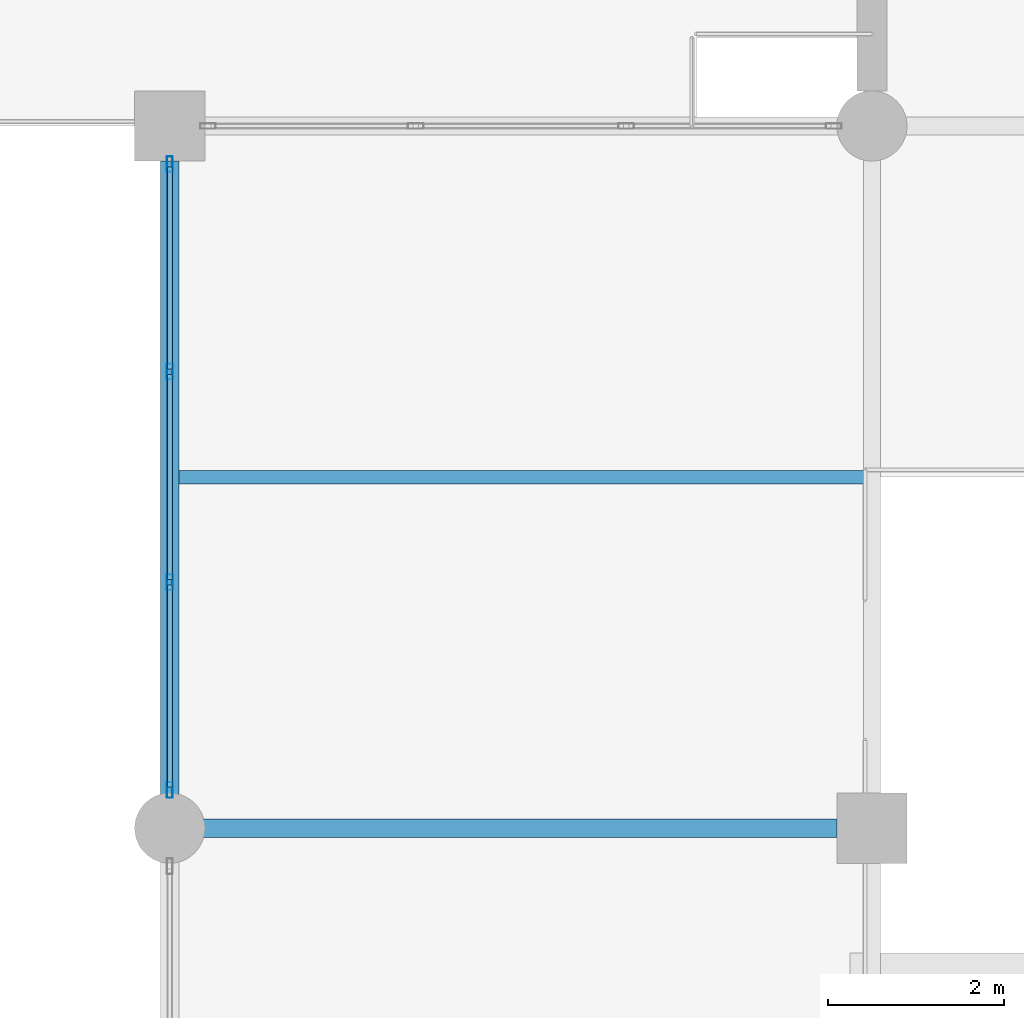
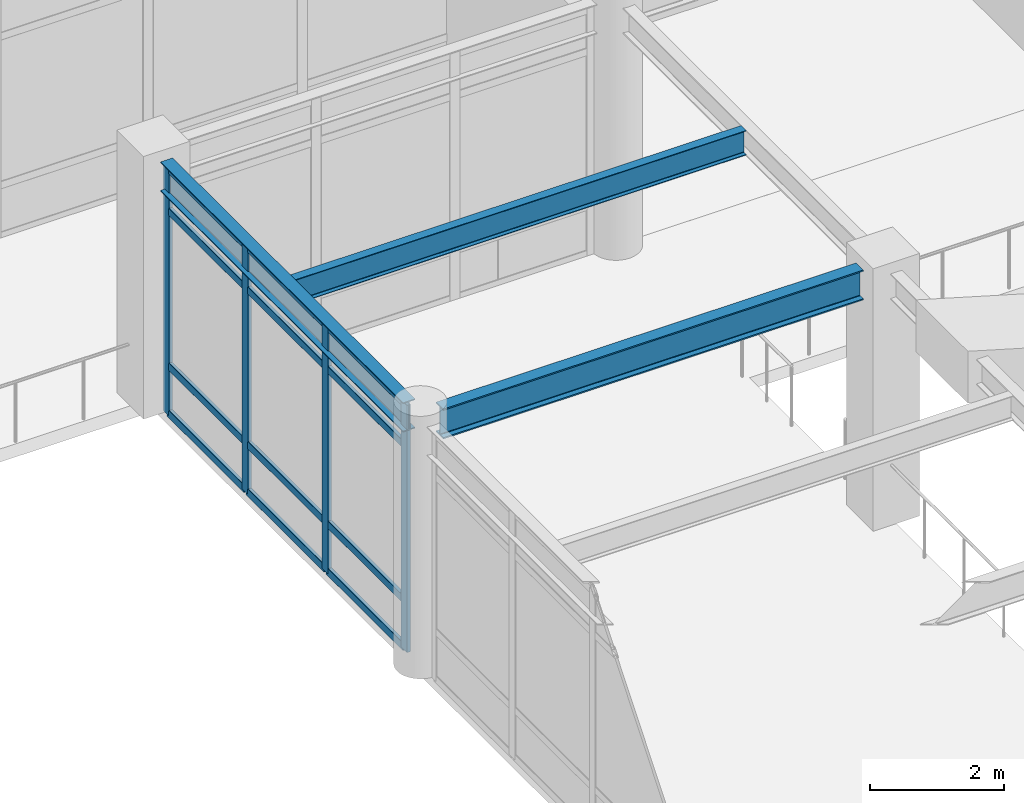
# One storey, part 50 of 117: 16 members, 3 beams, 1 element without a shape of its own.
"""IFC4 building model written with IfcOpenShell, lengths in metres."""

import ifcopenshell
import ifcopenshell.guid

model = None  # the IFC model being written
_history = None  # IfcOwnerHistory: only IFC2X3 demands one
_inside = {}  # id of a spatial element -> (the spatial element, [elements in it])
_under = {}  # id of a project, library or spatial element -> (it, [spatial elements below it])
_declared = {}  # id of a project -> (the project, [libraries it declares])
_typed = {}  # id of a type object -> (the type object, [elements of that type])
_made_of = {}  # id of a material, layer set ... -> (it, [elements and type objects made of it])


def new_model(schema):
    """Start an empty IFC model of exactly this schema.

    Asked for "IFC4X3", IfcOpenShell would pick the latest addendum, in which some entities
    have other attributes; the version numbers below select the first issue.
    IFC2X3 requires an IfcOwnerHistory on every rooted entity: one is made here for all.
    """
    global model, _history
    if schema == "IFC4X3":
        model = ifcopenshell.file(schema_version=(4, 3, 0, 0))
    else:
        model = ifcopenshell.file(schema=schema)
    _inside.clear()
    _under.clear()
    _declared.clear()
    _typed.clear()
    _made_of.clear()
    _history = None
    if model.schema == "IFC2X3":
        org = make("IfcOrganization", Name="unknown")
        user = make(
            "IfcPersonAndOrganization",
            ThePerson=make("IfcPerson", FamilyName="unknown"),
            TheOrganization=org,
        )
        app = make(
            "IfcApplication",
            ApplicationDeveloper=org,
            Version="unknown",
            ApplicationFullName="unknown",
            ApplicationIdentifier="unknown",
        )
        _history = make(
            "IfcOwnerHistory",
            OwningUser=user,
            OwningApplication=app,
            ChangeAction="ADDED",
            CreationDate=0,
        )
    return model


def make(cls, **values):
    """One entity of the class cls with the attributes given. An attribute that is None is left unset."""
    return model.create_entity(
        cls, **{name: value for name, value in values.items() if value is not None}
    )


def rooted(cls, **values):
    """An entity with a GlobalId (a new one), such as an element, a storey or a relation."""
    return make(cls, GlobalId=ifcopenshell.guid.new(), OwnerHistory=_history, **values)


def si_unit(unit_type, name, prefix=None):
    """IfcSIUnit, for example si_unit("LENGTHUNIT", "METRE", prefix="MILLI")."""
    return make("IfcSIUnit", UnitType=unit_type, Prefix=prefix, Name=name)


def assignment(units):
    """IfcUnitAssignment: the units of a project."""
    return None if units is None else make("IfcUnitAssignment", Units=units)


def point(xyz):
    """IfcCartesianPoint."""
    return None if xyz is None else make("IfcCartesianPoint", Coordinates=xyz)


def direction(xyz):
    """IfcDirection."""
    return None if xyz is None else make("IfcDirection", DirectionRatios=xyz)


def frame(location, z_axis=None, x_axis=None):
    """IfcAxis2Placement3D, a coordinate frame: its origin and axes. An axis left out is left unset."""
    return make(
        "IfcAxis2Placement3D",
        Location=point(location),
        Axis=direction(z_axis),
        RefDirection=direction(x_axis),
    )


def frame_2d(location, x_axis=None):
    """IfcAxis2Placement2D, a coordinate frame in the plane: its origin and x axis."""
    return make(
        "IfcAxis2Placement2D", Location=point(location), RefDirection=direction(x_axis)
    )


def origin():
    """The frame at (0, 0, 0) with its axes left unset."""
    return frame((0.0, 0.0, 0.0))


def origin_2d():
    """The frame at (0, 0) in the plane with its x axis left unset."""
    return frame_2d((0.0, 0.0))


def place(relative_to, where):
    """IfcLocalPlacement: puts the frame where relative to a parent placement (None: the world)."""
    return make(
        "IfcLocalPlacement", PlacementRelTo=relative_to, RelativePlacement=where
    )


def context(
    kind, dimensions, precision=None, world=None, true_north=None, identifier=None
):
    """IfcGeometricRepresentationContext, for example the 3D "Model" context."""
    return make(
        "IfcGeometricRepresentationContext",
        ContextIdentifier=identifier,
        ContextType=kind,
        CoordinateSpaceDimension=dimensions,
        Precision=precision,
        WorldCoordinateSystem=world,
        TrueNorth=true_north,
    )


def subcontext(parent, identifier, kind, view, scale=None):
    """IfcGeometricRepresentationSubContext, for example "Body" below "Model"."""
    return make(
        "IfcGeometricRepresentationSubContext",
        ContextIdentifier=identifier,
        ContextType=kind,
        ParentContext=parent,
        TargetScale=scale,
        TargetView=view,
    )


def project(units=None, contexts=None):
    """IfcProject with its units and contexts."""
    return rooted(
        "IfcProject",
        Name="project",
        RepresentationContexts=contexts,
        UnitsInContext=assignment(units),
    )


def spatial(cls, under=None, at=None, **own):
    """A site, building, storey or space (cls), placed at a placement, below another one or the project."""
    s = rooted(cls, ObjectPlacement=at, **own)
    if under is not None:
        _under.setdefault(under.id(), (under, []))[1].append(s)
    return s


def profile(cls, at=None, kind="AREA", **sizes):
    """A parametric profile (cls). Its sizes go by their IFC names, for example OverallWidth=200.0."""
    return make(cls, ProfileType=kind, Position=at, **sizes)


def hollow_rectangle(**sizes):
    """IfcRectangleHollowProfileDef."""
    return profile("IfcRectangleHollowProfileDef", **sizes)


def i_section(**sizes):
    """IfcIShapeProfileDef."""
    return profile("IfcIShapeProfileDef", **sizes)


def extrude(swept, where, along, depth):
    """IfcExtrudedAreaSolid: the profile swept, set in the frame where, extruded along a direction by depth."""
    return make(
        "IfcExtrudedAreaSolid",
        SweptArea=swept,
        Position=where,
        ExtrudedDirection=direction(along),
        Depth=depth,
    )


def shape(context_of_items, identifier, shape_type, items):
    """IfcShapeRepresentation: the items that make up one representation, for example the "Body"."""
    return make(
        "IfcShapeRepresentation",
        ContextOfItems=context_of_items,
        RepresentationIdentifier=identifier,
        RepresentationType=shape_type,
        Items=items,
    )


def material(Name=None, Category=None):
    """IfcMaterial."""
    return make("IfcMaterial", Name=Name, Category=Category)


def material_profile(
    of_material, cross_section, Name=None, Category=None, Priority=None
):
    """IfcMaterialProfile: a cross section and its material."""
    return make(
        "IfcMaterialProfile",
        Name=Name,
        Material=of_material,
        Profile=cross_section,
        Priority=Priority,
        Category=Category,
    )


def profile_set(profiles, Name=None, composite=None):
    """IfcMaterialProfileSet."""
    return make(
        "IfcMaterialProfileSet",
        Name=Name,
        MaterialProfiles=profiles,
        CompositeProfile=composite,
    )


def made_of(thing, what):
    """Note that an element or type object is made of a material, layer set ...; save() writes the relation."""
    if what is not None:
        _made_of.setdefault(what.id(), (what, []))[1].append(thing)
    return thing


def type_object(cls, material=None, **own):
    """A type object (cls), such as IfcWallType, which elements share."""
    return made_of(rooted(cls, **own), material)


def element(
    cls,
    number,
    at=None,
    inside=None,
    cuts=None,
    type_object=None,
    material=None,
    context=None,
    identifier="Body",
    shape_type=None,
    held_by="IfcProductDefinitionShape",
    body=None,
    shapes=None,
    **own,
):
    """One element of the class cls, such as IfcWall. Its Tag is "e" and its number.

    at: its placement. inside: the storey or other place that contains it. cuts: it is an
    opening in that element (IfcRelVoidsElement). A single representation is given by context,
    identifier, shape_type and body (its items); several are given by shapes. held_by: the class
    of the entity that holds the representations. save() writes the other relations.
    """
    e = rooted(cls, Tag="e%d" % number, ObjectPlacement=at, **own)
    if body is not None:
        shapes = [shape(context, identifier, shape_type, body)]
    if shapes is not None:
        e.Representation = make(held_by, Representations=shapes)
    if inside is not None:
        _inside.setdefault(inside.id(), (inside, []))[1].append(e)
    if cuts is not None:
        rooted(
            "IfcRelVoidsElement", RelatingBuildingElement=cuts, RelatedOpeningElement=e
        )
    if type_object is not None:
        _typed.setdefault(type_object.id(), (type_object, []))[1].append(e)
    return made_of(e, material)


def aggregate(whole, parts):
    """IfcRelAggregates: a whole, such as a stair, and the parts it consists of."""
    return rooted("IfcRelAggregates", RelatingObject=whole, RelatedObjects=parts)


def save(model, path):
    """Write the relations noted so far, then the file.

    IfcRelAggregates (storeys below a building ...), IfcRelContainedInSpatialStructure (elements
    in a storey), IfcRelDefinesByType, IfcRelAssociatesMaterial and IfcRelDeclares: one each for
    every whole, place, type object, material and project.
    """
    for whole, parts in _under.values():
        aggregate(whole, parts)
    for where, things in _inside.values():
        rooted(
            "IfcRelContainedInSpatialStructure",
            RelatedElements=things,
            RelatingStructure=where,
        )
    for kind, things in _typed.values():
        rooted("IfcRelDefinesByType", RelatedObjects=things, RelatingType=kind)
    for what, things in _made_of.values():
        rooted("IfcRelAssociatesMaterial", RelatedObjects=things, RelatingMaterial=what)
    for by, libraries in _declared.values():
        rooted("IfcRelDeclares", RelatingContext=by, RelatedDefinitions=libraries)
    model.write(path)


model = new_model("IFC4")

# Units and contexts
model_context = context("Model", 3, precision=1e-05, world=origin(), true_north=direction((0.0, 1.0)))
body_context = subcontext(model_context, "Body", "Model", "MODEL_VIEW")
ifc_project = project(units=[si_unit("LENGTHUNIT", "METRE"), si_unit("AREAUNIT", "SQUARE_METRE"), si_unit("VOLUMEUNIT", "CUBIC_METRE"), si_unit("PLANEANGLEUNIT", "RADIAN"), si_unit("MASSUNIT", "GRAM", prefix="KILO")], contexts=[model_context])

# Site, building, storey
site_placement = place(None, origin())
site = spatial("IfcSite", under=ifc_project, at=site_placement, CompositionType="ELEMENT")
building_placement = place(site_placement, origin())
building = spatial("IfcBuilding", under=site, at=building_placement, Name="Solmirada Galleria", CompositionType="ELEMENT")
storey_placement = place(building_placement, frame((0.0, 0.0, 5.60009765625)))
storey = spatial("IfcBuildingStorey", under=building, at=storey_placement, Name="L01", CompositionType="ELEMENT", Elevation=5.60009765625)

# Beams
ifc_material_1 = material(Name="Steel S355 / ASTM A992 Grade 50", Category="steel")
ifc_material_profile_1 = material_profile(ifc_material_1, i_section(OverallWidth=0.214111328125, OverallDepth=0.549072265625, WebThickness=0.0146484375, FlangeThickness=0.023681640625, FilletRadius=0.014892578125, at=origin_2d()), Name="W21X93")
ifc_profile_set_1 = profile_set([ifc_material_profile_1], Name="Steel S355 / ASTM A992 Grade 50")
beam_type_1 = type_object("IfcBeamType", Name="BM-GIRD-W21A", PredefinedType="BEAM", material=ifc_profile_set_1)
beam_1_placement = place(storey_placement, frame((80.3359375, 64.0, 4.325439453125), z_axis=(1.0, 0.0, 0.0), x_axis=(0.0, 1.0, 0.0)))
element("IfcBeam", 1, at=beam_1_placement, inside=storey, type_object=beam_type_1, Name="Primary beam L02 X(80..88, 64)", PredefinedType="BEAM", context=body_context, shape_type="SweptSolid", body=[
    extrude(i_section(OverallWidth=0.214111328125, OverallDepth=0.549072265625, WebThickness=0.0146484375, FlangeThickness=0.023681640625, FilletRadius=0.014892578125, at=origin_2d()), origin(), (0.0, 0.0, 1.0), 7.26416015625),
])
ifc_material_profile_2 = material_profile(ifc_material_1, i_section(OverallWidth=0.2099609375, OverallDepth=0.537109375, WebThickness=0.010986328125, FlangeThickness=0.017333984375, FilletRadius=0.014892578125, at=origin_2d()), Name="W21X68")
ifc_profile_set_2 = profile_set([ifc_material_profile_2], Name="Steel S355 / ASTM A992 Grade 50")
beam_type_2 = type_object("IfcBeamType", Name="BM-GIRD-W21B", PredefinedType="BEAM", material=ifc_profile_set_2)
beam_2_placement = place(storey_placement, frame((80.0, 64.3359375, 4.331298828125), z_axis=(0.0, 1.0, 0.0), x_axis=(-1.0, 0.0, 0.0)))
element("IfcBeam", 2, at=beam_2_placement, inside=storey, type_object=beam_type_2, Name="Primary girder L02 Y(80, 64..72)", PredefinedType="BEAM", context=body_context, shape_type="SweptSolid", body=[
    extrude(i_section(OverallWidth=0.2099609375, OverallDepth=0.537109375, WebThickness=0.010986328125, FlangeThickness=0.017333984375, FilletRadius=0.014892578125, at=origin_2d()), origin(), (0.0, 0.0, 1.0), 7.26416015625),
])
ifc_material_profile_3 = material_profile(ifc_material_1, i_section(OverallWidth=0.152099609375, OverallDepth=0.449951171875, WebThickness=0.007568359375, FlangeThickness=0.0107421875, FilletRadius=0.011962890625, at=origin_2d()), Name="W18X35")
ifc_profile_set_3 = profile_set([ifc_material_profile_3], Name="Steel S355 / ASTM A992 Grade 50")
beam_type_3 = type_object("IfcBeamType", Name="BM-JST-W18B", PredefinedType="JOIST", material=ifc_profile_set_3)
beam_3_placement = place(storey_placement, frame((80.10498046875, 68.0, 4.375), z_axis=(1.0, 0.0, 0.0), x_axis=(0.0, 1.0, 0.0)))
element("IfcBeam", 3, at=beam_3_placement, inside=storey, type_object=beam_type_3, Name="Composite floor joist L02 (80..88, 68.0)", PredefinedType="JOIST", context=body_context, shape_type="SweptSolid", body=[
    extrude(i_section(OverallWidth=0.152099609375, OverallDepth=0.449951171875, WebThickness=0.007568359375, FlangeThickness=0.0107421875, FilletRadius=0.011962890625, at=origin_2d()), origin(), (0.0, 0.0, 1.0), 7.798095703125),
])

# Curtain wall, members
ifc_material_2 = material(Name="Impact-resistant low-E double glazing", Category="glass")
curtain_wall_type = type_object("IfcCurtainWallType", Name="CW-FZ3-L01-B3-L072", PredefinedType="NOTDEFINED", material=ifc_material_2)
curtain_wall_placement = place(storey_placement, origin())
curtain_wall = element("IfcCurtainWall", 4, at=curtain_wall_placement, inside=storey, type_object=curtain_wall_type, Name="Terrace and arcade storefront CW-L01-046", PredefinedType="NOTDEFINED")
ifc_material_3 = material(Name="Anodised aluminium framing", Category="aluminium")
ifc_material_profile_4 = material_profile(ifc_material_3, hollow_rectangle(XDim=0.06494140625, YDim=0.179931640625, WallThickness=0.00390625, InnerFilletRadius=0.00390625, OuterFilletRadius=0.008056640625, at=origin_2d()), Name="ALU-MULL-180X65")
ifc_profile_set_4 = profile_set([ifc_material_profile_4], Name="Anodised aluminium framing")
member_type_1 = type_object("IfcMemberType", Name="CW-MULL-180", PredefinedType="MULLION", material=ifc_profile_set_4)
member_1_placement = place(storey_placement, frame((80.0, 64.4345703125, 0.0), z_axis=(0.0, 0.0, 1.0), x_axis=(-1.0, 0.0, 0.0)))
member_1 = element("IfcMember", 5, at=member_1_placement, type_object=member_type_1, Name="CW12 mullion 1", PredefinedType="MULLION", context=body_context, shape_type="SweptSolid", body=[
    extrude(hollow_rectangle(XDim=0.06494140625, YDim=0.179931640625, WallThickness=0.00390625, InnerFilletRadius=0.00390625, OuterFilletRadius=0.008056640625, at=origin_2d()), origin(), (0.0, 0.0, 1.0), 4.52001953125),
])
member_2_placement = place(storey_placement, frame((80.0, 66.80078125, 0.0), z_axis=(0.0, 0.0, 1.0), x_axis=(-1.0, 0.0, 0.0)))
member_2 = element("IfcMember", 6, at=member_2_placement, type_object=member_type_1, Name="CW12 mullion 2", PredefinedType="MULLION", context=body_context, shape_type="SweptSolid", body=[
    extrude(hollow_rectangle(XDim=0.06494140625, YDim=0.179931640625, WallThickness=0.00390625, InnerFilletRadius=0.00390625, OuterFilletRadius=0.008056640625, at=origin_2d()), origin(), (0.0, 0.0, 1.0), 4.52001953125),
])
member_3_placement = place(storey_placement, frame((80.0, 69.19921875, 0.0), z_axis=(0.0, 0.0, 1.0), x_axis=(-1.0, 0.0, 0.0)))
member_3 = element("IfcMember", 7, at=member_3_placement, type_object=member_type_1, Name="CW12 mullion 3", PredefinedType="MULLION", context=body_context, shape_type="SweptSolid", body=[
    extrude(hollow_rectangle(XDim=0.06494140625, YDim=0.179931640625, WallThickness=0.00390625, InnerFilletRadius=0.00390625, OuterFilletRadius=0.008056640625, at=origin_2d()), origin(), (0.0, 0.0, 1.0), 4.52001953125),
])
member_4_placement = place(storey_placement, frame((80.0, 71.5654296875, 0.0), z_axis=(0.0, 0.0, 1.0), x_axis=(-1.0, 0.0, 0.0)))
member_4 = element("IfcMember", 8, at=member_4_placement, type_object=member_type_1, Name="CW12 mullion 4", PredefinedType="MULLION", context=body_context, shape_type="SweptSolid", body=[
    extrude(hollow_rectangle(XDim=0.06494140625, YDim=0.179931640625, WallThickness=0.00390625, InnerFilletRadius=0.00390625, OuterFilletRadius=0.008056640625, at=origin_2d()), origin(), (0.0, 0.0, 1.0), 4.52001953125),
])
ifc_material_profile_5 = material_profile(ifc_material_3, hollow_rectangle(XDim=0.06494140625, YDim=0.139892578125, WallThickness=0.00341796875, InnerFilletRadius=0.00341796875, OuterFilletRadius=0.007080078125, at=origin_2d()), Name="ALU-TRAN-140X65")
ifc_profile_set_5 = profile_set([ifc_material_profile_5], Name="Anodised aluminium framing")
member_type_2 = type_object("IfcMemberType", Name="CW-TRAN-140", PredefinedType="USERDEFINED", material=ifc_profile_set_5)
member_5_placement = place(storey_placement, frame((80.0, 64.467041015625, 0.032470703125), z_axis=(0.0, 1.0, 0.0), x_axis=(-1.0, 0.0, 0.0)))
member_5 = element("IfcMember", 9, at=member_5_placement, type_object=member_type_2, Name="CW12 transom 1.1", ObjectType="TRANSOM", PredefinedType="USERDEFINED", context=body_context, shape_type="SweptSolid", body=[
    extrude(hollow_rectangle(XDim=0.06494140625, YDim=0.139892578125, WallThickness=0.00341796875, InnerFilletRadius=0.00341796875, OuterFilletRadius=0.007080078125, at=origin_2d()), origin(), (0.0, 0.0, 1.0), 2.301025390625),
])
member_6_placement = place(storey_placement, frame((80.0, 64.467041015625, 0.89990234375), z_axis=(0.0, 1.0, 0.0), x_axis=(-1.0, 0.0, 0.0)))
member_6 = element("IfcMember", 10, at=member_6_placement, type_object=member_type_2, Name="CW12 transom 1.2", ObjectType="TRANSOM", PredefinedType="USERDEFINED", context=body_context, shape_type="SweptSolid", body=[
    extrude(hollow_rectangle(XDim=0.06494140625, YDim=0.139892578125, WallThickness=0.00341796875, InnerFilletRadius=0.00341796875, OuterFilletRadius=0.007080078125, at=origin_2d()), origin(), (0.0, 0.0, 1.0), 2.301025390625),
])
member_7_placement = place(storey_placement, frame((80.0, 64.467041015625, 3.72998046875), z_axis=(0.0, 1.0, 0.0), x_axis=(-1.0, 0.0, 0.0)))
member_7 = element("IfcMember", 11, at=member_7_placement, type_object=member_type_2, Name="CW12 transom 1.3", ObjectType="TRANSOM", PredefinedType="USERDEFINED", context=body_context, shape_type="SweptSolid", body=[
    extrude(hollow_rectangle(XDim=0.06494140625, YDim=0.139892578125, WallThickness=0.00341796875, InnerFilletRadius=0.00341796875, OuterFilletRadius=0.007080078125, at=origin_2d()), origin(), (0.0, 0.0, 1.0), 2.301025390625),
])
member_8_placement = place(storey_placement, frame((80.0, 64.467041015625, 4.4873046875), z_axis=(0.0, 1.0, 0.0), x_axis=(-1.0, 0.0, 0.0)))
member_8 = element("IfcMember", 12, at=member_8_placement, type_object=member_type_2, Name="CW12 transom 1.4", ObjectType="TRANSOM", PredefinedType="USERDEFINED", context=body_context, shape_type="SweptSolid", body=[
    extrude(hollow_rectangle(XDim=0.06494140625, YDim=0.139892578125, WallThickness=0.00341796875, InnerFilletRadius=0.00341796875, OuterFilletRadius=0.007080078125, at=origin_2d()), origin(), (0.0, 0.0, 1.0), 2.301025390625),
])
member_9_placement = place(storey_placement, frame((80.0, 66.833251953125, 0.032470703125), z_axis=(0.0, 1.0, 0.0), x_axis=(-1.0, 0.0, 0.0)))
member_9 = element("IfcMember", 13, at=member_9_placement, type_object=member_type_2, Name="CW12 transom 2.1", ObjectType="TRANSOM", PredefinedType="USERDEFINED", context=body_context, shape_type="SweptSolid", body=[
    extrude(hollow_rectangle(XDim=0.06494140625, YDim=0.139892578125, WallThickness=0.00341796875, InnerFilletRadius=0.00341796875, OuterFilletRadius=0.007080078125, at=origin_2d()), origin(), (0.0, 0.0, 1.0), 2.33349609375),
])
member_10_placement = place(storey_placement, frame((80.0, 66.833251953125, 0.89990234375), z_axis=(0.0, 1.0, 0.0), x_axis=(-1.0, 0.0, 0.0)))
member_10 = element("IfcMember", 14, at=member_10_placement, type_object=member_type_2, Name="CW12 transom 2.2", ObjectType="TRANSOM", PredefinedType="USERDEFINED", context=body_context, shape_type="SweptSolid", body=[
    extrude(hollow_rectangle(XDim=0.06494140625, YDim=0.139892578125, WallThickness=0.00341796875, InnerFilletRadius=0.00341796875, OuterFilletRadius=0.007080078125, at=origin_2d()), origin(), (0.0, 0.0, 1.0), 2.33349609375),
])
member_11_placement = place(storey_placement, frame((80.0, 66.833251953125, 3.72998046875), z_axis=(0.0, 1.0, 0.0), x_axis=(-1.0, 0.0, 0.0)))
member_11 = element("IfcMember", 15, at=member_11_placement, type_object=member_type_2, Name="CW12 transom 2.3", ObjectType="TRANSOM", PredefinedType="USERDEFINED", context=body_context, shape_type="SweptSolid", body=[
    extrude(hollow_rectangle(XDim=0.06494140625, YDim=0.139892578125, WallThickness=0.00341796875, InnerFilletRadius=0.00341796875, OuterFilletRadius=0.007080078125, at=origin_2d()), origin(), (0.0, 0.0, 1.0), 2.33349609375),
])
member_12_placement = place(storey_placement, frame((80.0, 66.833251953125, 4.4873046875), z_axis=(0.0, 1.0, 0.0), x_axis=(-1.0, 0.0, 0.0)))
member_12 = element("IfcMember", 16, at=member_12_placement, type_object=member_type_2, Name="CW12 transom 2.4", ObjectType="TRANSOM", PredefinedType="USERDEFINED", context=body_context, shape_type="SweptSolid", body=[
    extrude(hollow_rectangle(XDim=0.06494140625, YDim=0.139892578125, WallThickness=0.00341796875, InnerFilletRadius=0.00341796875, OuterFilletRadius=0.007080078125, at=origin_2d()), origin(), (0.0, 0.0, 1.0), 2.33349609375),
])
member_13_placement = place(storey_placement, frame((80.0, 69.23193359375, 0.032470703125), z_axis=(0.0, 1.0, 0.0), x_axis=(-1.0, 0.0, 0.0)))
member_13 = element("IfcMember", 17, at=member_13_placement, type_object=member_type_2, Name="CW12 transom 3.1", ObjectType="TRANSOM", PredefinedType="USERDEFINED", context=body_context, shape_type="SweptSolid", body=[
    extrude(hollow_rectangle(XDim=0.06494140625, YDim=0.139892578125, WallThickness=0.00341796875, InnerFilletRadius=0.00341796875, OuterFilletRadius=0.007080078125, at=origin_2d()), origin(), (0.0, 0.0, 1.0), 2.301025390625),
])
member_14_placement = place(storey_placement, frame((80.0, 69.23193359375, 0.89990234375), z_axis=(0.0, 1.0, 0.0), x_axis=(-1.0, 0.0, 0.0)))
member_14 = element("IfcMember", 18, at=member_14_placement, type_object=member_type_2, Name="CW12 transom 3.2", ObjectType="TRANSOM", PredefinedType="USERDEFINED", context=body_context, shape_type="SweptSolid", body=[
    extrude(hollow_rectangle(XDim=0.06494140625, YDim=0.139892578125, WallThickness=0.00341796875, InnerFilletRadius=0.00341796875, OuterFilletRadius=0.007080078125, at=origin_2d()), origin(), (0.0, 0.0, 1.0), 2.301025390625),
])
member_15_placement = place(storey_placement, frame((80.0, 69.23193359375, 3.72998046875), z_axis=(0.0, 1.0, 0.0), x_axis=(-1.0, 0.0, 0.0)))
member_15 = element("IfcMember", 19, at=member_15_placement, type_object=member_type_2, Name="CW12 transom 3.3", ObjectType="TRANSOM", PredefinedType="USERDEFINED", context=body_context, shape_type="SweptSolid", body=[
    extrude(hollow_rectangle(XDim=0.06494140625, YDim=0.139892578125, WallThickness=0.00341796875, InnerFilletRadius=0.00341796875, OuterFilletRadius=0.007080078125, at=origin_2d()), origin(), (0.0, 0.0, 1.0), 2.301025390625),
])
member_16_placement = place(storey_placement, frame((80.0, 69.23193359375, 4.4873046875), z_axis=(0.0, 1.0, 0.0), x_axis=(-1.0, 0.0, 0.0)))
member_16 = element("IfcMember", 20, at=member_16_placement, type_object=member_type_2, Name="CW12 transom 3.4", ObjectType="TRANSOM", PredefinedType="USERDEFINED", context=body_context, shape_type="SweptSolid", body=[
    extrude(hollow_rectangle(XDim=0.06494140625, YDim=0.139892578125, WallThickness=0.00341796875, InnerFilletRadius=0.00341796875, OuterFilletRadius=0.007080078125, at=origin_2d()), origin(), (0.0, 0.0, 1.0), 2.301025390625),
])
aggregate(curtain_wall, [member_1, member_2, member_3, member_4, member_5, member_6, member_7, member_8, member_9, member_10, member_11, member_12, member_13, member_14, member_15, member_16])

save(model, "model.ifc")
